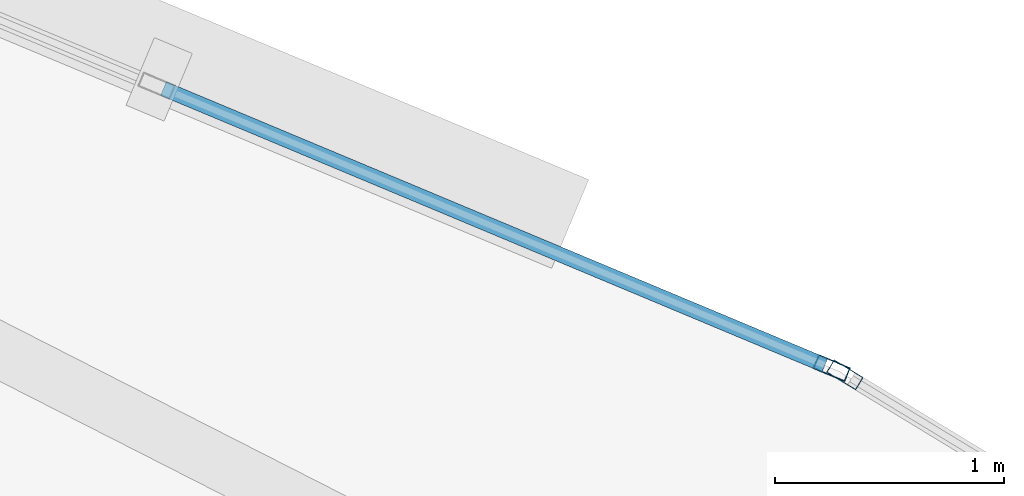
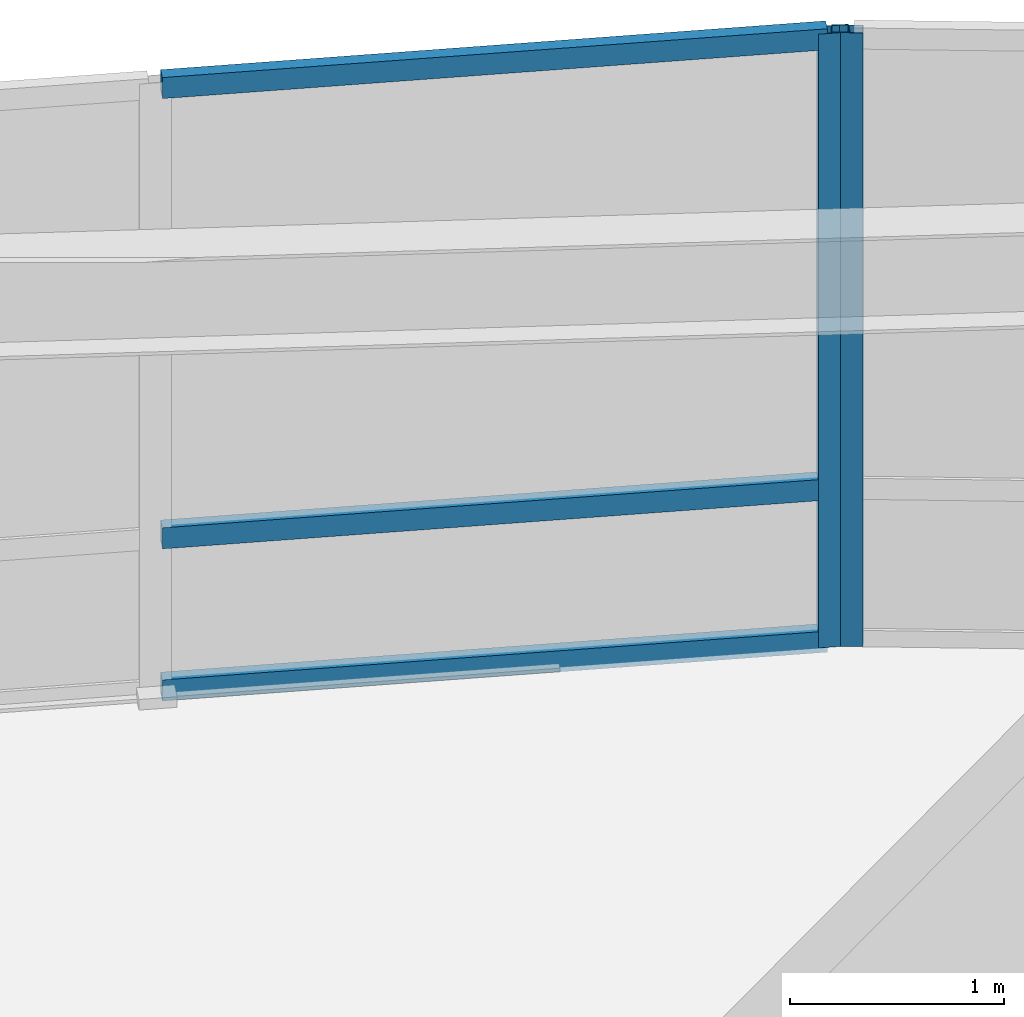
# One storey, part 12 of 17: 5 members, 2 elements without a shape of their own.
"""IFC4 building model written with IfcOpenShell, lengths in metres."""

from ifc_helpers import new_model, si_unit, direction, frame, origin, origin_2d, place, context, subcontext, project, spatial, hollow_rectangle, extrude, material, layer, layer_set, material_profile, profile_set, type_object, element, aggregate, save


model = new_model("IFC4")

# Units and contexts
model_context = context("Model", 3, precision=1e-05, world=origin(), true_north=direction((0.0, 1.0)))
body_context = subcontext(model_context, "Body", "Model", "MODEL_VIEW")
ifc_project = project(units=[si_unit("LENGTHUNIT", "METRE"), si_unit("AREAUNIT", "SQUARE_METRE"), si_unit("VOLUMEUNIT", "CUBIC_METRE"), si_unit("PLANEANGLEUNIT", "RADIAN"), si_unit("MASSUNIT", "GRAM", prefix="KILO")], contexts=[model_context])

# Site, building, storey
site_placement = place(None, origin())
site = spatial("IfcSite", under=ifc_project, at=site_placement, CompositionType="ELEMENT")
building_placement = place(site_placement, origin())
building = spatial("IfcBuilding", under=site, at=building_placement, Name="Menara Vayukalpa", CompositionType="ELEMENT")
storey_placement = place(building_placement, frame((0.0, 0.0, 133.739990234375)))
storey = spatial("IfcBuildingStorey", under=building, at=storey_placement, Name="L33", CompositionType="ELEMENT", Elevation=133.739990234375)

# Curtain wall, member
ifc_material_1 = material(Name="Anodised Terracotta Aluminium Alloy 6063-T6", Category="masonry")
ifc_layer = layer(ifc_material_1, 0.14990234375)
ifc_layer_set = layer_set([ifc_layer], Name="Anodised Terracotta Aluminium Alloy 6063-T6")
curtain_wall_type = type_object("IfcCurtainWallType", Name="CW-CW3", PredefinedType="USERDEFINED", material=ifc_layer_set)
curtain_wall_1_placement = place(storey_placement, origin())
curtain_wall_1 = element("IfcCurtainWall", 1, at=curtain_wall_1_placement, inside=storey, type_object=curtain_wall_type, Name="L33 Mid Rise Terracotta Ribbon Curtain Wall CW3 04", ObjectType="UNITISED", PredefinedType="USERDEFINED")
ifc_material_2 = material(Name="Anodised Terracotta Aluminium Alloy 6063-T6", Category="masonry")
ifc_material_profile_1 = material_profile(ifc_material_2, hollow_rectangle(XDim=0.06494140625, YDim=0.14990234375, WallThickness=0.00341796875, at=origin_2d()), Name="ALU 65x150x3.5")
ifc_profile_set_1 = profile_set([ifc_material_profile_1], Name="Anodised Terracotta Aluminium Alloy 6063-T6")
member_type_1 = type_object("IfcMemberType", Name="CWM-CW3", PredefinedType="MULLION", material=ifc_profile_set_1)
member_1_placement = place(storey_placement, frame((29.8935546875, 31.938232421875, 0.0), z_axis=(0.0, 0.0, 1.0), x_axis=(-0.519182959112, -0.854663123674, 0.0)))
member_1 = element("IfcMember", 2, at=member_1_placement, type_object=member_type_1, Name="CW3 mullion 3", PredefinedType="MULLION", context=body_context, shape_type="SweptSolid", body=[
    extrude(hollow_rectangle(XDim=0.06494140625, YDim=0.14990234375, WallThickness=0.00341796875, at=origin_2d()), origin(), (0.0, 0.0, 1.0), 3.5),
])
aggregate(curtain_wall_1, [member_1])

# Curtain wall, members
curtain_wall_2_placement = place(storey_placement, origin())
curtain_wall_2 = element("IfcCurtainWall", 3, at=curtain_wall_2_placement, inside=storey, type_object=curtain_wall_type, Name="L33 Mid Rise Terracotta Ribbon Curtain Wall CW3 05", ObjectType="UNITISED", PredefinedType="USERDEFINED")
member_2_placement = place(storey_placement, frame((29.8359375, 31.9677734375, 0.0), z_axis=(0.0, 0.0, 1.0), x_axis=(-0.38589358437, -0.922543300632, 0.0)))
member_2 = element("IfcMember", 4, at=member_2_placement, type_object=member_type_1, Name="CW3 mullion 1", PredefinedType="MULLION", context=body_context, shape_type="SweptSolid", body=[
    extrude(hollow_rectangle(XDim=0.06494140625, YDim=0.14990234375, WallThickness=0.00341796875, at=origin_2d()), origin(), (0.0, 0.0, 1.0), 3.5),
])
ifc_material_3 = material(Name="Anodised Terracotta Aluminium Alloy 6063-T6", Category="masonry")
ifc_material_profile_2 = material_profile(ifc_material_3, hollow_rectangle(XDim=0.06494140625, YDim=0.1201171875, WallThickness=0.00341796875, at=origin_2d()), Name="ALU 65x120x3.5")
ifc_profile_set_2 = profile_set([ifc_material_profile_2], Name="Anodised Terracotta Aluminium Alloy 6063-T6")
member_type_2 = type_object("IfcMemberType", Name="CWT-CW3", PredefinedType="USERDEFINED", material=ifc_profile_set_2)
member_3_placement = place(storey_placement, frame((29.805908203125, 31.980224609375, 0.032470703125), z_axis=(-0.922517812792, 0.385954511673, 0.0), x_axis=(-0.385954511673, -0.922517812792, 0.0)))
member_3 = element("IfcMember", 5, at=member_3_placement, type_object=member_type_2, Name="CW3 transom 1.1", ObjectType="TRANSOM", PredefinedType="USERDEFINED", context=body_context, shape_type="SweptSolid", body=[
    extrude(hollow_rectangle(XDim=0.06494140625, YDim=0.1201171875, WallThickness=0.00341796875, at=origin_2d()), origin(), (0.0, 0.0, 1.0), 3.1318359375),
])
member_4_placement = place(storey_placement, frame((29.805908203125, 31.980224609375, 0.89990234375), z_axis=(-0.922517812792, 0.385954511673, 0.0), x_axis=(-0.385954511673, -0.922517812792, 0.0)))
member_4 = element("IfcMember", 6, at=member_4_placement, type_object=member_type_2, Name="CW3 transom 1.2", ObjectType="TRANSOM", PredefinedType="USERDEFINED", context=body_context, shape_type="SweptSolid", body=[
    extrude(hollow_rectangle(XDim=0.06494140625, YDim=0.1201171875, WallThickness=0.00341796875, at=origin_2d()), origin(), (0.0, 0.0, 1.0), 3.1318359375),
])
member_5_placement = place(storey_placement, frame((29.805908203125, 31.980224609375, 3.467529296875), z_axis=(-0.922517812792, 0.385954511673, 0.0), x_axis=(-0.385954511673, -0.922517812792, 0.0)))
member_5 = element("IfcMember", 7, at=member_5_placement, type_object=member_type_2, Name="CW3 transom 1.3", ObjectType="TRANSOM", PredefinedType="USERDEFINED", context=body_context, shape_type="SweptSolid", body=[
    extrude(hollow_rectangle(XDim=0.06494140625, YDim=0.1201171875, WallThickness=0.00341796875, at=origin_2d()), origin(), (0.0, 0.0, 1.0), 3.1318359375),
])
aggregate(curtain_wall_2, [member_2, member_3, member_4, member_5])

save(model, "model.ifc")
